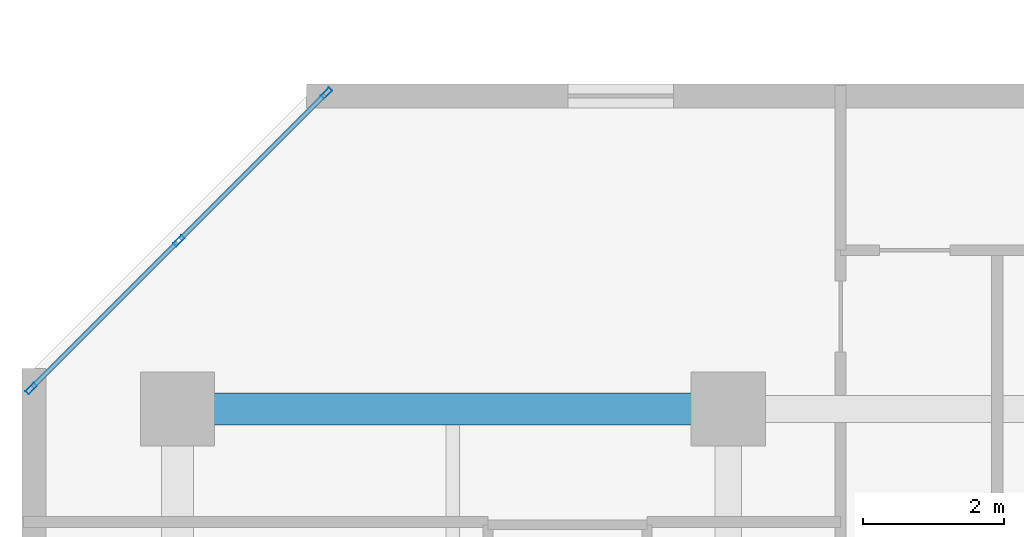
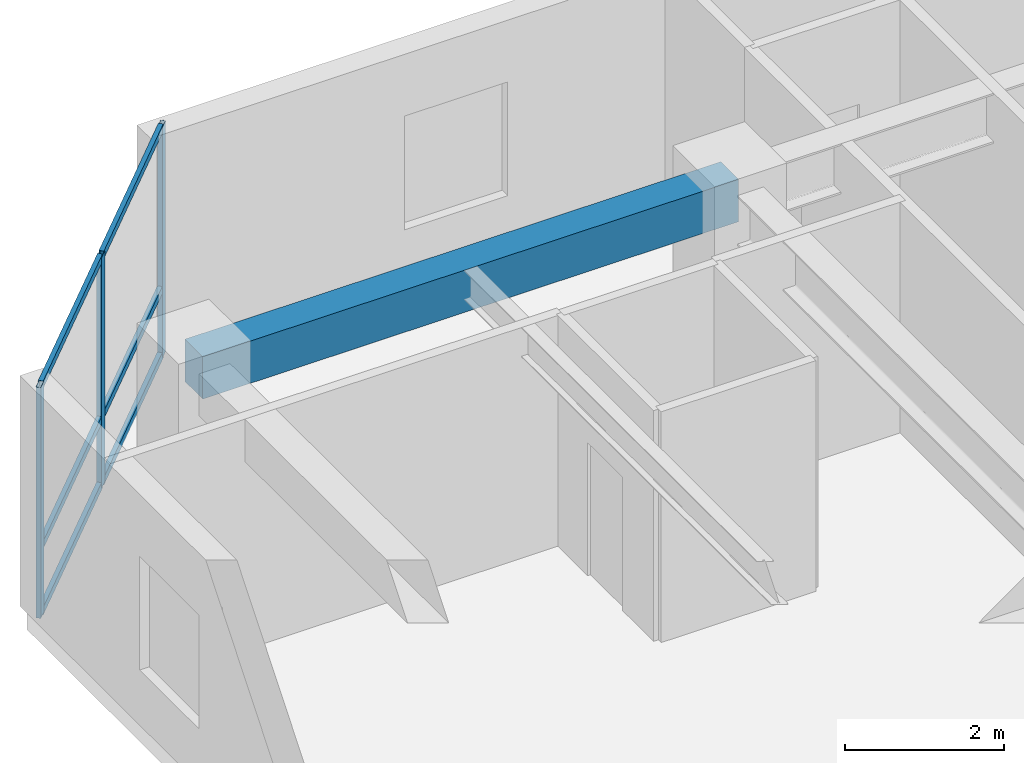
# One storey, part 3 of 10: 9 members, 1 beam, 1 element without a shape of its own.
"""IFC4 building model written with IfcOpenShell, lengths in metres."""

import ifcopenshell
import ifcopenshell.guid

model = None  # the IFC model being written
_history = None  # IfcOwnerHistory: only IFC2X3 demands one
_inside = {}  # id of a spatial element -> (the spatial element, [elements in it])
_under = {}  # id of a project, library or spatial element -> (it, [spatial elements below it])
_declared = {}  # id of a project -> (the project, [libraries it declares])
_typed = {}  # id of a type object -> (the type object, [elements of that type])
_made_of = {}  # id of a material, layer set ... -> (it, [elements and type objects made of it])


def new_model(schema):
    """Start an empty IFC model of exactly this schema.

    Asked for "IFC4X3", IfcOpenShell would pick the latest addendum, in which some entities
    have other attributes; the version numbers below select the first issue.
    IFC2X3 requires an IfcOwnerHistory on every rooted entity: one is made here for all.
    """
    global model, _history
    if schema == "IFC4X3":
        model = ifcopenshell.file(schema_version=(4, 3, 0, 0))
    else:
        model = ifcopenshell.file(schema=schema)
    _inside.clear()
    _under.clear()
    _declared.clear()
    _typed.clear()
    _made_of.clear()
    _history = None
    if model.schema == "IFC2X3":
        org = make("IfcOrganization", Name="unknown")
        user = make(
            "IfcPersonAndOrganization",
            ThePerson=make("IfcPerson", FamilyName="unknown"),
            TheOrganization=org,
        )
        app = make(
            "IfcApplication",
            ApplicationDeveloper=org,
            Version="unknown",
            ApplicationFullName="unknown",
            ApplicationIdentifier="unknown",
        )
        _history = make(
            "IfcOwnerHistory",
            OwningUser=user,
            OwningApplication=app,
            ChangeAction="ADDED",
            CreationDate=0,
        )
    return model


def make(cls, **values):
    """One entity of the class cls with the attributes given. An attribute that is None is left unset."""
    return model.create_entity(
        cls, **{name: value for name, value in values.items() if value is not None}
    )


def rooted(cls, **values):
    """An entity with a GlobalId (a new one), such as an element, a storey or a relation."""
    return make(cls, GlobalId=ifcopenshell.guid.new(), OwnerHistory=_history, **values)


def si_unit(unit_type, name, prefix=None):
    """IfcSIUnit, for example si_unit("LENGTHUNIT", "METRE", prefix="MILLI")."""
    return make("IfcSIUnit", UnitType=unit_type, Prefix=prefix, Name=name)


def assignment(units):
    """IfcUnitAssignment: the units of a project."""
    return None if units is None else make("IfcUnitAssignment", Units=units)


def point(xyz):
    """IfcCartesianPoint."""
    return None if xyz is None else make("IfcCartesianPoint", Coordinates=xyz)


def direction(xyz):
    """IfcDirection."""
    return None if xyz is None else make("IfcDirection", DirectionRatios=xyz)


def frame(location, z_axis=None, x_axis=None):
    """IfcAxis2Placement3D, a coordinate frame: its origin and axes. An axis left out is left unset."""
    return make(
        "IfcAxis2Placement3D",
        Location=point(location),
        Axis=direction(z_axis),
        RefDirection=direction(x_axis),
    )


def frame_2d(location, x_axis=None):
    """IfcAxis2Placement2D, a coordinate frame in the plane: its origin and x axis."""
    return make(
        "IfcAxis2Placement2D", Location=point(location), RefDirection=direction(x_axis)
    )


def origin():
    """The frame at (0, 0, 0) with its axes left unset."""
    return frame((0.0, 0.0, 0.0))


def origin_2d():
    """The frame at (0, 0) in the plane with its x axis left unset."""
    return frame_2d((0.0, 0.0))


def place(relative_to, where):
    """IfcLocalPlacement: puts the frame where relative to a parent placement (None: the world)."""
    return make(
        "IfcLocalPlacement", PlacementRelTo=relative_to, RelativePlacement=where
    )


def context(
    kind, dimensions, precision=None, world=None, true_north=None, identifier=None
):
    """IfcGeometricRepresentationContext, for example the 3D "Model" context."""
    return make(
        "IfcGeometricRepresentationContext",
        ContextIdentifier=identifier,
        ContextType=kind,
        CoordinateSpaceDimension=dimensions,
        Precision=precision,
        WorldCoordinateSystem=world,
        TrueNorth=true_north,
    )


def subcontext(parent, identifier, kind, view, scale=None):
    """IfcGeometricRepresentationSubContext, for example "Body" below "Model"."""
    return make(
        "IfcGeometricRepresentationSubContext",
        ContextIdentifier=identifier,
        ContextType=kind,
        ParentContext=parent,
        TargetScale=scale,
        TargetView=view,
    )


def project(units=None, contexts=None):
    """IfcProject with its units and contexts."""
    return rooted(
        "IfcProject",
        Name="project",
        RepresentationContexts=contexts,
        UnitsInContext=assignment(units),
    )


def spatial(cls, under=None, at=None, **own):
    """A site, building, storey or space (cls), placed at a placement, below another one or the project."""
    s = rooted(cls, ObjectPlacement=at, **own)
    if under is not None:
        _under.setdefault(under.id(), (under, []))[1].append(s)
    return s


def profile(cls, at=None, kind="AREA", **sizes):
    """A parametric profile (cls). Its sizes go by their IFC names, for example OverallWidth=200.0."""
    return make(cls, ProfileType=kind, Position=at, **sizes)


def rectangle(**sizes):
    """IfcRectangleProfileDef."""
    return profile("IfcRectangleProfileDef", **sizes)


def hollow_rectangle(**sizes):
    """IfcRectangleHollowProfileDef."""
    return profile("IfcRectangleHollowProfileDef", **sizes)


def extrude(swept, where, along, depth):
    """IfcExtrudedAreaSolid: the profile swept, set in the frame where, extruded along a direction by depth."""
    return make(
        "IfcExtrudedAreaSolid",
        SweptArea=swept,
        Position=where,
        ExtrudedDirection=direction(along),
        Depth=depth,
    )


def shape(context_of_items, identifier, shape_type, items):
    """IfcShapeRepresentation: the items that make up one representation, for example the "Body"."""
    return make(
        "IfcShapeRepresentation",
        ContextOfItems=context_of_items,
        RepresentationIdentifier=identifier,
        RepresentationType=shape_type,
        Items=items,
    )


def material(Name=None, Category=None):
    """IfcMaterial."""
    return make("IfcMaterial", Name=Name, Category=Category)


def layer(
    of_material, thickness, ventilated=None, Name=None, Category=None, Priority=None
):
    """IfcMaterialLayer: one layer of a wall or slab, of a material (None: an air gap)."""
    return make(
        "IfcMaterialLayer",
        Material=of_material,
        LayerThickness=thickness,
        IsVentilated=ventilated,
        Name=Name,
        Category=Category,
        Priority=Priority,
    )


def layer_set(layers, Name=None):
    """IfcMaterialLayerSet."""
    return make("IfcMaterialLayerSet", MaterialLayers=layers, LayerSetName=Name)


def material_profile(
    of_material, cross_section, Name=None, Category=None, Priority=None
):
    """IfcMaterialProfile: a cross section and its material."""
    return make(
        "IfcMaterialProfile",
        Name=Name,
        Material=of_material,
        Profile=cross_section,
        Priority=Priority,
        Category=Category,
    )


def profile_set(profiles, Name=None, composite=None):
    """IfcMaterialProfileSet."""
    return make(
        "IfcMaterialProfileSet",
        Name=Name,
        MaterialProfiles=profiles,
        CompositeProfile=composite,
    )


def made_of(thing, what):
    """Note that an element or type object is made of a material, layer set ...; save() writes the relation."""
    if what is not None:
        _made_of.setdefault(what.id(), (what, []))[1].append(thing)
    return thing


def type_object(cls, material=None, **own):
    """A type object (cls), such as IfcWallType, which elements share."""
    return made_of(rooted(cls, **own), material)


def element(
    cls,
    number,
    at=None,
    inside=None,
    cuts=None,
    type_object=None,
    material=None,
    context=None,
    identifier="Body",
    shape_type=None,
    held_by="IfcProductDefinitionShape",
    body=None,
    shapes=None,
    **own,
):
    """One element of the class cls, such as IfcWall. Its Tag is "e" and its number.

    at: its placement. inside: the storey or other place that contains it. cuts: it is an
    opening in that element (IfcRelVoidsElement). A single representation is given by context,
    identifier, shape_type and body (its items); several are given by shapes. held_by: the class
    of the entity that holds the representations. save() writes the other relations.
    """
    e = rooted(cls, Tag="e%d" % number, ObjectPlacement=at, **own)
    if body is not None:
        shapes = [shape(context, identifier, shape_type, body)]
    if shapes is not None:
        e.Representation = make(held_by, Representations=shapes)
    if inside is not None:
        _inside.setdefault(inside.id(), (inside, []))[1].append(e)
    if cuts is not None:
        rooted(
            "IfcRelVoidsElement", RelatingBuildingElement=cuts, RelatedOpeningElement=e
        )
    if type_object is not None:
        _typed.setdefault(type_object.id(), (type_object, []))[1].append(e)
    return made_of(e, material)


def aggregate(whole, parts):
    """IfcRelAggregates: a whole, such as a stair, and the parts it consists of."""
    return rooted("IfcRelAggregates", RelatingObject=whole, RelatedObjects=parts)


def save(model, path):
    """Write the relations noted so far, then the file.

    IfcRelAggregates (storeys below a building ...), IfcRelContainedInSpatialStructure (elements
    in a storey), IfcRelDefinesByType, IfcRelAssociatesMaterial and IfcRelDeclares: one each for
    every whole, place, type object, material and project.
    """
    for whole, parts in _under.values():
        aggregate(whole, parts)
    for where, things in _inside.values():
        rooted(
            "IfcRelContainedInSpatialStructure",
            RelatedElements=things,
            RelatingStructure=where,
        )
    for kind, things in _typed.values():
        rooted("IfcRelDefinesByType", RelatedObjects=things, RelatingType=kind)
    for what, things in _made_of.values():
        rooted("IfcRelAssociatesMaterial", RelatedObjects=things, RelatingMaterial=what)
    for by, libraries in _declared.values():
        rooted("IfcRelDeclares", RelatingContext=by, RelatedDefinitions=libraries)
    model.write(path)


model = new_model("IFC4")

# Units and contexts
model_context = context("Model", 3, precision=1e-05, world=origin(), true_north=direction((0.0, 1.0)))
body_context = subcontext(model_context, "Body", "Model", "MODEL_VIEW")
ifc_project = project(units=[si_unit("LENGTHUNIT", "METRE"), si_unit("AREAUNIT", "SQUARE_METRE"), si_unit("VOLUMEUNIT", "CUBIC_METRE"), si_unit("PLANEANGLEUNIT", "RADIAN"), si_unit("MASSUNIT", "GRAM", prefix="KILO")], contexts=[model_context])

# Site, building, storey
site_placement = place(None, origin())
site = spatial("IfcSite", under=ifc_project, at=site_placement, CompositionType="ELEMENT")
building_placement = place(site_placement, origin())
building = spatial("IfcBuilding", under=site, at=building_placement, Name="Kestravale Grand Hotel", CompositionType="ELEMENT")
storey_placement = place(building_placement, frame((0.0, 0.0, 153.60009765625)))
storey = spatial("IfcBuildingStorey", under=building, at=storey_placement, Name="L38", CompositionType="ELEMENT", Elevation=153.60009765625)

# Beam
ifc_material_1 = material(Name="Concrete f'c 45 MPa", Category="concrete")
ifc_material_profile_1 = material_profile(ifc_material_1, rectangle(XDim=0.449951171875, YDim=0.64990234375, at=origin_2d()))
ifc_profile_set_1 = profile_set([ifc_material_profile_1], Name="Concrete f'c 45 MPa")
beam_type = type_object("IfcBeamType", Name="B-FLR-RC650", PredefinedType="SPANDREL", material=ifc_profile_set_1)
beam_placement = place(storey_placement, frame((7.800048828125, 38.39990234375, 3.224853515625), z_axis=(1.0, 0.0, 0.0), x_axis=(0.0, 1.0, 0.0)))
element("IfcBeam", 1, at=beam_placement, inside=storey, type_object=beam_type, Name="L38 spandrel F:2-3", PredefinedType="SPANDREL", context=body_context, shape_type="SweptSolid", body=[
    extrude(rectangle(XDim=0.449951171875, YDim=0.64990234375, at=origin_2d()), origin(), (0.0, 0.0, 1.0), 7.800048828125),
])

# Curtain wall, members
ifc_material_2 = material(Name="Thermally broken champagne-bronze aluminium and low-E glazing", Category="aluminium")
ifc_layer = layer(ifc_material_2, 0.179931640625)
ifc_layer_set = layer_set([ifc_layer], Name="CW-Z3")
curtain_wall_type = type_object("IfcCurtainWallType", Name="CW-Z3", PredefinedType="NOTDEFINED", material=ifc_layer_set)
curtain_wall_placement = place(storey_placement, origin())
curtain_wall = element("IfcCurtainWall", 2, at=curtain_wall_placement, inside=storey, type_object=curtain_wall_type, Name="L38 unitised curtain wall 18", PredefinedType="NOTDEFINED")
ifc_material_3 = material(Name="Aluminium 6063-T6 anodised", Category="aluminium")
ifc_material_profile_2 = material_profile(ifc_material_3, hollow_rectangle(XDim=0.06494140625, YDim=0.1650390625, WallThickness=0.00341796875, at=origin_2d()))
ifc_profile_set_2 = profile_set([ifc_material_profile_2], Name="Aluminium 6063-T6 anodised")
member_type_1 = type_object("IfcMemberType", Name="CW-MUL-165", PredefinedType="MULLION", material=ifc_profile_set_2)
member_1_placement = place(storey_placement, frame((9.911376953125, 42.87109375, 0.0), z_axis=(0.0, 0.0, 1.0), x_axis=(0.707106781187, -0.707106781187, 0.0)))
member_1 = element("IfcMember", 3, at=member_1_placement, type_object=member_type_1, Name="CW-Z3 mullion 1", PredefinedType="MULLION", context=body_context, shape_type="SweptSolid", body=[
    extrude(hollow_rectangle(XDim=0.06494140625, YDim=0.1650390625, WallThickness=0.00341796875, at=origin_2d()), origin(), (0.0, 0.0, 1.0), 3.5498046875),
])
member_2_placement = place(storey_placement, frame((7.8203125, 40.77978515625, 0.0), z_axis=(0.0, 0.0, 1.0), x_axis=(0.707106781187, -0.707106781187, 0.0)))
member_2 = element("IfcMember", 4, at=member_2_placement, type_object=member_type_1, Name="CW-Z3 mullion 2", PredefinedType="MULLION", context=body_context, shape_type="SweptSolid", body=[
    extrude(hollow_rectangle(XDim=0.06494140625, YDim=0.1650390625, WallThickness=0.00341796875, at=origin_2d()), origin(), (0.0, 0.0, 1.0), 3.5498046875),
])
member_3_placement = place(storey_placement, frame((5.72900390625, 38.6884765625, 0.0), z_axis=(0.0, 0.0, 1.0), x_axis=(0.707106781187, -0.707106781187, 0.0)))
member_3 = element("IfcMember", 5, at=member_3_placement, type_object=member_type_1, Name="CW-Z3 mullion 3", PredefinedType="MULLION", context=body_context, shape_type="SweptSolid", body=[
    extrude(hollow_rectangle(XDim=0.06494140625, YDim=0.1650390625, WallThickness=0.00341796875, at=origin_2d()), origin(), (0.0, 0.0, 1.0), 3.5498046875),
])
ifc_material_4 = material(Name="Aluminium 6063-T6 anodised", Category="aluminium")
ifc_material_profile_3 = material_profile(ifc_material_4, hollow_rectangle(XDim=0.06494140625, YDim=0.114990234375, WallThickness=0.003173828125, at=origin_2d()))
ifc_profile_set_3 = profile_set([ifc_material_profile_3], Name="Aluminium 6063-T6 anodised")
member_type_2 = type_object("IfcMemberType", Name="CW-TRN-115", PredefinedType="USERDEFINED", material=ifc_profile_set_3)
member_4_placement = place(storey_placement, frame((9.888427734375, 42.84814453125, 0.032470703125), z_axis=(-0.707064577195, -0.707148982659, 0.0), x_axis=(0.707148982659, -0.707064577195, 0.0)))
member_4 = element("IfcMember", 6, at=member_4_placement, type_object=member_type_2, Name="CW-Z3 transom 1.1", ObjectType="TRANSOM", PredefinedType="USERDEFINED", context=body_context, shape_type="SweptSolid", body=[
    extrude(hollow_rectangle(XDim=0.06494140625, YDim=0.114990234375, WallThickness=0.003173828125, at=origin_2d()), origin(), (0.0, 0.0, 1.0), 2.892578125),
])
member_5_placement = place(storey_placement, frame((9.888427734375, 42.84814453125, 1.0498046875), z_axis=(-0.707064577195, -0.707148982659, 0.0), x_axis=(0.707148982659, -0.707064577195, 0.0)))
member_5 = element("IfcMember", 7, at=member_5_placement, type_object=member_type_2, Name="CW-Z3 transom 1.2", ObjectType="TRANSOM", PredefinedType="USERDEFINED", context=body_context, shape_type="SweptSolid", body=[
    extrude(hollow_rectangle(XDim=0.06494140625, YDim=0.114990234375, WallThickness=0.003173828125, at=origin_2d()), origin(), (0.0, 0.0, 1.0), 2.892578125),
])
member_6_placement = place(storey_placement, frame((9.888427734375, 42.84814453125, 3.517333984375), z_axis=(-0.707064577195, -0.707148982659, 0.0), x_axis=(0.707148982659, -0.707064577195, 0.0)))
member_6 = element("IfcMember", 8, at=member_6_placement, type_object=member_type_2, Name="CW-Z3 transom 1.3", ObjectType="TRANSOM", PredefinedType="USERDEFINED", context=body_context, shape_type="SweptSolid", body=[
    extrude(hollow_rectangle(XDim=0.06494140625, YDim=0.114990234375, WallThickness=0.003173828125, at=origin_2d()), origin(), (0.0, 0.0, 1.0), 2.892578125),
])
member_7_placement = place(storey_placement, frame((7.797119140625, 40.7568359375, 0.032470703125), z_axis=(-0.707106781187, -0.707106781187, 0.0), x_axis=(0.707106781187, -0.707106781187, 0.0)))
member_7 = element("IfcMember", 9, at=member_7_placement, type_object=member_type_2, Name="CW-Z3 transom 2.1", ObjectType="TRANSOM", PredefinedType="USERDEFINED", context=body_context, shape_type="SweptSolid", body=[
    extrude(hollow_rectangle(XDim=0.06494140625, YDim=0.114990234375, WallThickness=0.003173828125, at=origin_2d()), origin(), (0.0, 0.0, 1.0), 2.892333984375),
])
member_8_placement = place(storey_placement, frame((7.797119140625, 40.7568359375, 1.0498046875), z_axis=(-0.707106781187, -0.707106781187, 0.0), x_axis=(0.707106781187, -0.707106781187, 0.0)))
member_8 = element("IfcMember", 10, at=member_8_placement, type_object=member_type_2, Name="CW-Z3 transom 2.2", ObjectType="TRANSOM", PredefinedType="USERDEFINED", context=body_context, shape_type="SweptSolid", body=[
    extrude(hollow_rectangle(XDim=0.06494140625, YDim=0.114990234375, WallThickness=0.003173828125, at=origin_2d()), origin(), (0.0, 0.0, 1.0), 2.892333984375),
])
member_9_placement = place(storey_placement, frame((7.797119140625, 40.7568359375, 3.517333984375), z_axis=(-0.707106781187, -0.707106781187, 0.0), x_axis=(0.707106781187, -0.707106781187, 0.0)))
member_9 = element("IfcMember", 11, at=member_9_placement, type_object=member_type_2, Name="CW-Z3 transom 2.3", ObjectType="TRANSOM", PredefinedType="USERDEFINED", context=body_context, shape_type="SweptSolid", body=[
    extrude(hollow_rectangle(XDim=0.06494140625, YDim=0.114990234375, WallThickness=0.003173828125, at=origin_2d()), origin(), (0.0, 0.0, 1.0), 2.892333984375),
])
aggregate(curtain_wall, [member_1, member_2, member_3, member_4, member_5, member_6, member_7, member_8, member_9])

save(model, "model.ifc")
